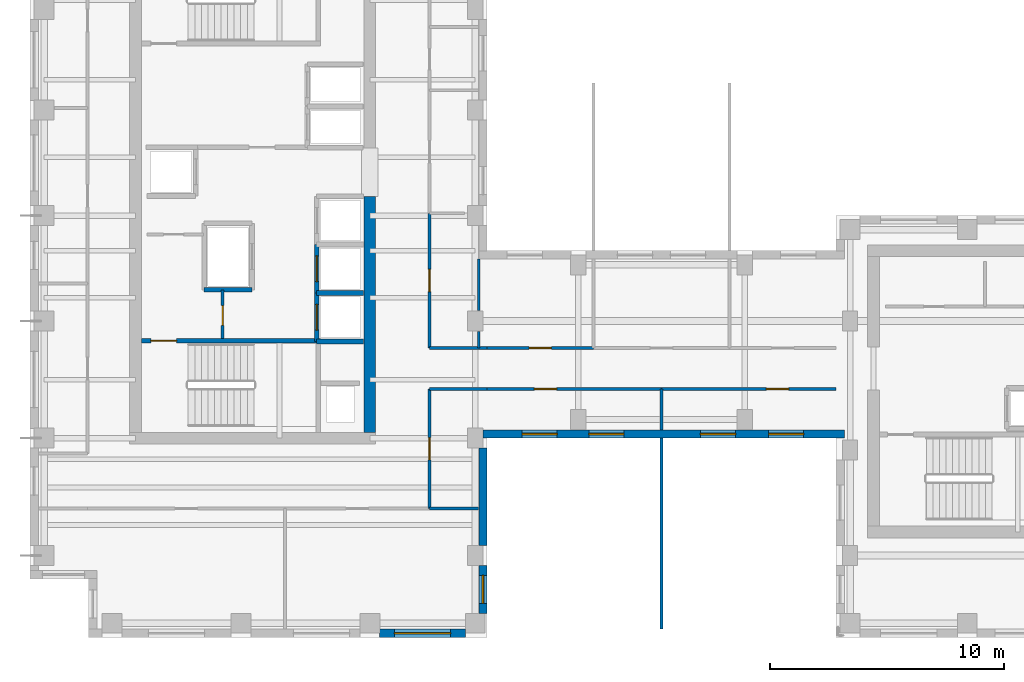
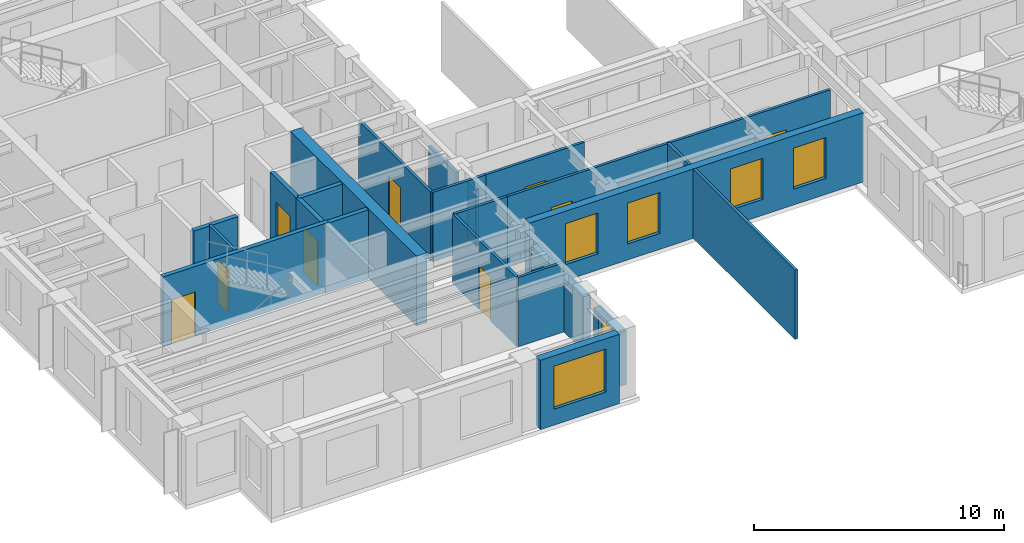
# One storey, part 3 of 10: 24 walls, 9 doors, 6 windows, 15 openings.
"""IFC4 building model written with IfcOpenShell, lengths in metres."""

import ifcopenshell
import ifcopenshell.guid

model = None  # the IFC model being written
_history = None  # IfcOwnerHistory: only IFC2X3 demands one
_inside = {}  # id of a spatial element -> (the spatial element, [elements in it])
_under = {}  # id of a project, library or spatial element -> (it, [spatial elements below it])
_declared = {}  # id of a project -> (the project, [libraries it declares])
_typed = {}  # id of a type object -> (the type object, [elements of that type])
_made_of = {}  # id of a material, layer set ... -> (it, [elements and type objects made of it])


def new_model(schema):
    """Start an empty IFC model of exactly this schema.

    Asked for "IFC4X3", IfcOpenShell would pick the latest addendum, in which some entities
    have other attributes; the version numbers below select the first issue.
    IFC2X3 requires an IfcOwnerHistory on every rooted entity: one is made here for all.
    """
    global model, _history
    if schema == "IFC4X3":
        model = ifcopenshell.file(schema_version=(4, 3, 0, 0))
    else:
        model = ifcopenshell.file(schema=schema)
    _inside.clear()
    _under.clear()
    _declared.clear()
    _typed.clear()
    _made_of.clear()
    _history = None
    if model.schema == "IFC2X3":
        org = make("IfcOrganization", Name="unknown")
        user = make(
            "IfcPersonAndOrganization",
            ThePerson=make("IfcPerson", FamilyName="unknown"),
            TheOrganization=org,
        )
        app = make(
            "IfcApplication",
            ApplicationDeveloper=org,
            Version="unknown",
            ApplicationFullName="unknown",
            ApplicationIdentifier="unknown",
        )
        _history = make(
            "IfcOwnerHistory",
            OwningUser=user,
            OwningApplication=app,
            ChangeAction="ADDED",
            CreationDate=0,
        )
    return model


def make(cls, **values):
    """One entity of the class cls with the attributes given. An attribute that is None is left unset."""
    return model.create_entity(
        cls, **{name: value for name, value in values.items() if value is not None}
    )


def rooted(cls, **values):
    """An entity with a GlobalId (a new one), such as an element, a storey or a relation."""
    return make(cls, GlobalId=ifcopenshell.guid.new(), OwnerHistory=_history, **values)


def si_unit(unit_type, name, prefix=None):
    """IfcSIUnit, for example si_unit("LENGTHUNIT", "METRE", prefix="MILLI")."""
    return make("IfcSIUnit", UnitType=unit_type, Prefix=prefix, Name=name)


def assignment(units):
    """IfcUnitAssignment: the units of a project."""
    return None if units is None else make("IfcUnitAssignment", Units=units)


def point(xyz):
    """IfcCartesianPoint."""
    return None if xyz is None else make("IfcCartesianPoint", Coordinates=xyz)


def direction(xyz):
    """IfcDirection."""
    return None if xyz is None else make("IfcDirection", DirectionRatios=xyz)


def frame(location, z_axis=None, x_axis=None):
    """IfcAxis2Placement3D, a coordinate frame: its origin and axes. An axis left out is left unset."""
    return make(
        "IfcAxis2Placement3D",
        Location=point(location),
        Axis=direction(z_axis),
        RefDirection=direction(x_axis),
    )


def frame_2d(location, x_axis=None):
    """IfcAxis2Placement2D, a coordinate frame in the plane: its origin and x axis."""
    return make(
        "IfcAxis2Placement2D", Location=point(location), RefDirection=direction(x_axis)
    )


def origin():
    """The frame at (0, 0, 0) with its axes left unset."""
    return frame((0.0, 0.0, 0.0))


def place(relative_to, where):
    """IfcLocalPlacement: puts the frame where relative to a parent placement (None: the world)."""
    return make(
        "IfcLocalPlacement", PlacementRelTo=relative_to, RelativePlacement=where
    )


def context(
    kind, dimensions, precision=None, world=None, true_north=None, identifier=None
):
    """IfcGeometricRepresentationContext, for example the 3D "Model" context."""
    return make(
        "IfcGeometricRepresentationContext",
        ContextIdentifier=identifier,
        ContextType=kind,
        CoordinateSpaceDimension=dimensions,
        Precision=precision,
        WorldCoordinateSystem=world,
        TrueNorth=true_north,
    )


def subcontext(parent, identifier, kind, view, scale=None):
    """IfcGeometricRepresentationSubContext, for example "Body" below "Model"."""
    return make(
        "IfcGeometricRepresentationSubContext",
        ContextIdentifier=identifier,
        ContextType=kind,
        ParentContext=parent,
        TargetScale=scale,
        TargetView=view,
    )


def project(units=None, contexts=None):
    """IfcProject with its units and contexts."""
    return rooted(
        "IfcProject",
        Name="project",
        RepresentationContexts=contexts,
        UnitsInContext=assignment(units),
    )


def spatial(cls, under=None, at=None, **own):
    """A site, building, storey or space (cls), placed at a placement, below another one or the project."""
    s = rooted(cls, ObjectPlacement=at, **own)
    if under is not None:
        _under.setdefault(under.id(), (under, []))[1].append(s)
    return s


def profile(cls, at=None, kind="AREA", **sizes):
    """A parametric profile (cls). Its sizes go by their IFC names, for example OverallWidth=200.0."""
    return make(cls, ProfileType=kind, Position=at, **sizes)


def rectangle(**sizes):
    """IfcRectangleProfileDef."""
    return profile("IfcRectangleProfileDef", **sizes)


def extrude(swept, where, along, depth):
    """IfcExtrudedAreaSolid: the profile swept, set in the frame where, extruded along a direction by depth."""
    return make(
        "IfcExtrudedAreaSolid",
        SweptArea=swept,
        Position=where,
        ExtrudedDirection=direction(along),
        Depth=depth,
    )


def shape(context_of_items, identifier, shape_type, items):
    """IfcShapeRepresentation: the items that make up one representation, for example the "Body"."""
    return make(
        "IfcShapeRepresentation",
        ContextOfItems=context_of_items,
        RepresentationIdentifier=identifier,
        RepresentationType=shape_type,
        Items=items,
    )


def source(mapping_origin, context_of_items, identifier, shape_type, items):
    """IfcRepresentationMap: a shape defined once, which mapped items show again and again."""
    return make(
        "IfcRepresentationMap",
        MappingOrigin=mapping_origin,
        MappedRepresentation=shape(context_of_items, identifier, shape_type, items),
    )


def transform(
    local_origin,
    x_axis=None,
    y_axis=None,
    z_axis=None,
    scale=None,
    scale2=None,
    scale3=None,
    uniform=True,
):
    """IfcCartesianTransformationOperator3D, or its non-uniform kind. x_axis, y_axis, z_axis: its Axis1, 2, 3."""
    if uniform:
        return make(
            "IfcCartesianTransformationOperator3D",
            Axis1=direction(x_axis),
            Axis2=direction(y_axis),
            LocalOrigin=point(local_origin),
            Scale=scale,
            Axis3=direction(z_axis),
        )
    return make(
        "IfcCartesianTransformationOperator3DnonUniform",
        Axis1=direction(x_axis),
        Axis2=direction(y_axis),
        LocalOrigin=point(local_origin),
        Scale=scale,
        Axis3=direction(z_axis),
        Scale2=scale2,
        Scale3=scale3,
    )


def mapped(mapping_source, mapping_target):
    """IfcMappedItem: shows the shape of a source again, moved by a transform."""
    return make(
        "IfcMappedItem", MappingSource=mapping_source, MappingTarget=mapping_target
    )


def material(Name=None, Category=None):
    """IfcMaterial."""
    return make("IfcMaterial", Name=Name, Category=Category)


def layer(
    of_material, thickness, ventilated=None, Name=None, Category=None, Priority=None
):
    """IfcMaterialLayer: one layer of a wall or slab, of a material (None: an air gap)."""
    return make(
        "IfcMaterialLayer",
        Material=of_material,
        LayerThickness=thickness,
        IsVentilated=ventilated,
        Name=Name,
        Category=Category,
        Priority=Priority,
    )


def layer_set(layers, Name=None):
    """IfcMaterialLayerSet."""
    return make("IfcMaterialLayerSet", MaterialLayers=layers, LayerSetName=Name)


def made_of(thing, what):
    """Note that an element or type object is made of a material, layer set ...; save() writes the relation."""
    if what is not None:
        _made_of.setdefault(what.id(), (what, []))[1].append(thing)
    return thing


def type_object(cls, material=None, **own):
    """A type object (cls), such as IfcWallType, which elements share."""
    return made_of(rooted(cls, **own), material)


def element(
    cls,
    number,
    at=None,
    inside=None,
    cuts=None,
    type_object=None,
    material=None,
    context=None,
    identifier="Body",
    shape_type=None,
    held_by="IfcProductDefinitionShape",
    body=None,
    shapes=None,
    **own,
):
    """One element of the class cls, such as IfcWall. Its Tag is "e" and its number.

    at: its placement. inside: the storey or other place that contains it. cuts: it is an
    opening in that element (IfcRelVoidsElement). A single representation is given by context,
    identifier, shape_type and body (its items); several are given by shapes. held_by: the class
    of the entity that holds the representations. save() writes the other relations.
    """
    e = rooted(cls, Tag="e%d" % number, ObjectPlacement=at, **own)
    if body is not None:
        shapes = [shape(context, identifier, shape_type, body)]
    if shapes is not None:
        e.Representation = make(held_by, Representations=shapes)
    if inside is not None:
        _inside.setdefault(inside.id(), (inside, []))[1].append(e)
    if cuts is not None:
        rooted(
            "IfcRelVoidsElement", RelatingBuildingElement=cuts, RelatedOpeningElement=e
        )
    if type_object is not None:
        _typed.setdefault(type_object.id(), (type_object, []))[1].append(e)
    return made_of(e, material)


def fill(opening, filler):
    """IfcRelFillsElement: the door or window that sits in an opening."""
    return rooted(
        "IfcRelFillsElement",
        RelatingOpeningElement=opening,
        RelatedBuildingElement=filler,
    )


def aggregate(whole, parts):
    """IfcRelAggregates: a whole, such as a stair, and the parts it consists of."""
    return rooted("IfcRelAggregates", RelatingObject=whole, RelatedObjects=parts)


def save(model, path):
    """Write the relations noted so far, then the file.

    IfcRelAggregates (storeys below a building ...), IfcRelContainedInSpatialStructure (elements
    in a storey), IfcRelDefinesByType, IfcRelAssociatesMaterial and IfcRelDeclares: one each for
    every whole, place, type object, material and project.
    """
    for whole, parts in _under.values():
        aggregate(whole, parts)
    for where, things in _inside.values():
        rooted(
            "IfcRelContainedInSpatialStructure",
            RelatedElements=things,
            RelatingStructure=where,
        )
    for kind, things in _typed.values():
        rooted("IfcRelDefinesByType", RelatedObjects=things, RelatingType=kind)
    for what, things in _made_of.values():
        rooted("IfcRelAssociatesMaterial", RelatedObjects=things, RelatingMaterial=what)
    for by, libraries in _declared.values():
        rooted("IfcRelDeclares", RelatingContext=by, RelatedDefinitions=libraries)
    model.write(path)


model = new_model("IFC4")

# Units and contexts
model_context = context("Model", 3, precision=1e-05, world=origin(), true_north=direction((0.0, 1.0)))
body_context = subcontext(model_context, "Body", "Model", "MODEL_VIEW")
ifc_project = project(units=[si_unit("LENGTHUNIT", "METRE"), si_unit("AREAUNIT", "SQUARE_METRE"), si_unit("VOLUMEUNIT", "CUBIC_METRE"), si_unit("PLANEANGLEUNIT", "RADIAN"), si_unit("MASSUNIT", "GRAM", prefix="KILO")], contexts=[model_context])

# Site, building, storey
site_placement = place(None, origin())
site = spatial("IfcSite", under=ifc_project, at=site_placement, CompositionType="ELEMENT")
building_placement = place(site_placement, origin())
building = spatial("IfcBuilding", under=site, at=building_placement, Name="Kharzan Plaza Tower", CompositionType="ELEMENT")
storey_placement = place(building_placement, frame((0.0, 0.0, 237.60009765625)))
storey = spatial("IfcBuildingStorey", under=building, at=storey_placement, Name="L64", CompositionType="ELEMENT", Elevation=237.60009765625)

# Wall, opening, window
ifc_material_1 = material(Name="Concrete C40/50", Category="concrete")
ifc_layer_1 = layer(ifc_material_1, 0.35009765625)
ifc_layer_set_1 = layer_set([ifc_layer_1], Name="Concrete C40/50")
wall_type_1 = type_object("IfcWallType", Name="WL-EXT-MAS-Z4", PredefinedType="SOLIDWALL", material=ifc_layer_set_1)
wall_1_placement = place(storey_placement, frame((14.923095703125, 0.175048828125, 0.0), z_axis=(0.0, 0.0, 1.0), x_axis=(1.0, 0.0, 0.0)))
wall_1 = element("IfcWall", 1, at=wall_1_placement, inside=storey, type_object=wall_type_1, Name="L64 Masonry-Frame Exterior Wall 29", PredefinedType="SOLIDWALL", context=body_context, shape_type="SweptSolid", body=[
    extrude(rectangle(XDim=3.65380859375, YDim=0.35009765625, at=frame_2d((1.826904296875, 0.0))), origin(), (0.0, 0.0, 1.0), 3.385009765625),
])
opening_1_placement = place(wall_1_placement, frame((0.626953125, 0.0, 0.780029296875)))
opening_1 = element("IfcOpeningElement", 2, at=opening_1_placement, cuts=wall_1, Name="Opening W2", PredefinedType="OPENING", context=body_context, shape_type="SweptSolid", body=[
    extrude(rectangle(XDim=2.39990234375, YDim=2.10009765625, at=frame_2d((1.199951171875, 1.050048828125))), frame((0.0, 0.18505859375, 0.0), z_axis=(0.0, -1.0, 0.0), x_axis=(1.0, 0.0, 0.0)), (0.0, 0.0, 1.0), 0.3701171875),
])
ifc_material_2 = material(Name="Low-E Double Glazing", Category="glass")
window_type_1 = type_object("IfcWindowType", Name="WN-REC-2400x2100", PartitioningType="SINGLE_PANEL", PredefinedType="WINDOW", material=ifc_material_2)
shared_shape_1 = source(origin(), body_context, "Body", "SweptSolid", [
    extrude(rectangle(XDim=2.39990234375, YDim=2.10009765625, at=frame_2d((1.199951171875, 1.050048828125))), frame((0.0, 0.030029296875, 0.0), z_axis=(0.0, -1.0, 0.0), x_axis=(1.0, 0.0, 0.0)), (0.0, 0.0, 1.0), 0.06005859375),
])
window_1_placement = place(opening_1_placement, origin())
window_1 = element("IfcWindow", 3, at=window_1_placement, inside=storey, type_object=window_type_1, Name="L64 Wide Recessed Solar-Control Window 29-1", OverallHeight=2.10009765625, OverallWidth=2.39990234375, PartitioningType="SINGLE_PANEL", PredefinedType="WINDOW", context=body_context, shape_type="MappedRepresentation", body=[
    mapped(shared_shape_1, transform((0.0, 0.0, 0.0), x_axis=(1.0, 0.0, 0.0), y_axis=(0.0, 1.0, 0.0), z_axis=(0.0, 0.0, 1.0))),
])
fill(opening_1, window_1)

wall_2_placement = place(storey_placement, frame((19.324951171875, 1.02294921875, 0.0), z_axis=(0.0, 0.0, 1.0), x_axis=(0.0, 1.0, 0.0)))
wall_2 = element("IfcWall", 4, at=wall_2_placement, inside=storey, type_object=wall_type_1, Name="L64 Masonry-Frame Exterior Wall 30", PredefinedType="SOLIDWALL", context=body_context, shape_type="SweptSolid", body=[
    extrude(rectangle(XDim=2.053955078125, YDim=0.35009765625, at=frame_2d((1.02685546875, 0.0))), origin(), (0.0, 0.0, 1.0), 2.618896484375),
])
opening_2_placement = place(wall_2_placement, frame((0.427001953125, 0.0, 0.780029296875)))
opening_2 = element("IfcOpeningElement", 5, at=opening_2_placement, cuts=wall_2, Name="Opening W3", PredefinedType="OPENING", context=body_context, shape_type="SweptSolid", body=[
    extrude(rectangle(XDim=1.199951171875, YDim=1.658935546875, at=frame_2d((0.60009765625, 0.82958984375))), frame((0.0, 0.18505859375, 0.0), z_axis=(0.0, -1.0, 0.0), x_axis=(1.0, 0.0, 0.0)), (0.0, 0.0, 1.0), 0.3701171875),
])
window_type_2 = type_object("IfcWindowType", Name="WN-REC-1200x2100", PartitioningType="SINGLE_PANEL", PredefinedType="WINDOW", material=ifc_material_2)
shared_shape_2 = source(origin(), body_context, "Body", "SweptSolid", [
    extrude(rectangle(XDim=1.199951171875, YDim=1.658935546875, at=frame_2d((0.60009765625, 0.82958984375))), frame((0.0, 0.030029296875, 0.0), z_axis=(0.0, -1.0, 0.0), x_axis=(1.0, 0.0, 0.0)), (0.0, 0.0, 1.0), 0.06005859375),
])
window_2_placement = place(opening_2_placement, origin())
window_2 = element("IfcWindow", 6, at=window_2_placement, inside=storey, type_object=window_type_2, Name="L64 Recessed Solar-Control Window 30-1", OverallHeight=1.658935546875, OverallWidth=1.199951171875, PartitioningType="SINGLE_PANEL", PredefinedType="WINDOW", context=body_context, shape_type="MappedRepresentation", body=[
    mapped(shared_shape_2, transform((0.0, 0.0, 0.0), x_axis=(1.0, 0.0, 0.0), y_axis=(0.0, 1.0, 0.0), z_axis=(0.0, 0.0, 1.0))),
])
fill(opening_2, window_2)

# Wall, openings, windows
wall_3_placement = place(storey_placement, frame((19.322998046875, 8.675048828125, 0.0), z_axis=(0.0, 0.0, 1.0), x_axis=(1.0, 0.0, 0.0)))
wall_3 = element("IfcWall", 7, at=wall_3_placement, inside=storey, type_object=wall_type_1, Name="L64 Masonry-Frame Exterior Wall 32", PredefinedType="SOLIDWALL", context=body_context, shape_type="SweptSolid", body=[
    extrude(rectangle(XDim=15.427001953125, YDim=0.35009765625, at=frame_2d((7.71337890625, 0.0))), origin(), (0.0, 0.0, 1.0), 3.385009765625),
])
opening_3_placement = place(wall_3_placement, frame((1.67236328125, 0.0, 0.780029296875)))
opening_3 = element("IfcOpeningElement", 8, at=opening_3_placement, cuts=wall_3, Name="Opening W5", PredefinedType="OPENING", context=body_context, shape_type="SweptSolid", body=[
    extrude(rectangle(XDim=1.5, YDim=2.0, at=frame_2d((0.75, 1.0))), frame((0.0, 0.18505859375, 0.0), z_axis=(0.0, -1.0, 0.0), x_axis=(1.0, 0.0, 0.0)), (0.0, 0.0, 1.0), 0.3701171875),
])
opening_4_placement = place(wall_3_placement, frame((4.524658203125, 0.0, 0.780029296875)))
opening_4 = element("IfcOpeningElement", 9, at=opening_4_placement, cuts=wall_3, Name="Opening W5", PredefinedType="OPENING", context=body_context, shape_type="SweptSolid", body=[
    extrude(rectangle(XDim=1.5, YDim=2.0, at=frame_2d((0.75, 1.0))), frame((0.0, 0.18505859375, 0.0), z_axis=(0.0, -1.0, 0.0), x_axis=(1.0, 0.0, 0.0)), (0.0, 0.0, 1.0), 0.3701171875),
])
opening_5_placement = place(wall_3_placement, frame((9.287109375, 0.0, 0.780029296875)))
opening_5 = element("IfcOpeningElement", 10, at=opening_5_placement, cuts=wall_3, Name="Opening W5", PredefinedType="OPENING", context=body_context, shape_type="SweptSolid", body=[
    extrude(rectangle(XDim=1.5, YDim=2.0, at=frame_2d((0.75, 1.0))), frame((0.0, 0.18505859375, 0.0), z_axis=(0.0, -1.0, 0.0), x_axis=(1.0, 0.0, 0.0)), (0.0, 0.0, 1.0), 0.3701171875),
])
opening_6_placement = place(wall_3_placement, frame((12.197021484375, 0.0, 0.780029296875)))
opening_6 = element("IfcOpeningElement", 11, at=opening_6_placement, cuts=wall_3, Name="Opening W5", PredefinedType="OPENING", context=body_context, shape_type="SweptSolid", body=[
    extrude(rectangle(XDim=1.5, YDim=2.0, at=frame_2d((0.75, 1.0))), frame((0.0, 0.18505859375, 0.0), z_axis=(0.0, -1.0, 0.0), x_axis=(1.0, 0.0, 0.0)), (0.0, 0.0, 1.0), 0.3701171875),
])
window_type_3 = type_object("IfcWindowType", Name="WN-SLT-1500x2000", PartitioningType="SINGLE_PANEL", PredefinedType="WINDOW", material=ifc_material_2)
shared_shape_3 = source(origin(), body_context, "Body", "SweptSolid", [
    extrude(rectangle(XDim=1.5, YDim=2.0, at=frame_2d((0.75, 1.0))), frame((0.0, 0.030029296875, 0.0), z_axis=(0.0, -1.0, 0.0), x_axis=(1.0, 0.0, 0.0)), (0.0, 0.0, 1.0), 0.06005859375),
])
window_3_placement = place(opening_3_placement, origin())
window_3 = element("IfcWindow", 12, at=window_3_placement, inside=storey, type_object=window_type_3, Name="L64 Recessed Solar-Control Window 32-1", OverallHeight=2.0, OverallWidth=1.5, PartitioningType="SINGLE_PANEL", PredefinedType="WINDOW", context=body_context, shape_type="MappedRepresentation", body=[
    mapped(shared_shape_3, transform((0.0, 0.0, 0.0), x_axis=(1.0, 0.0, 0.0), y_axis=(0.0, 1.0, 0.0), z_axis=(0.0, 0.0, 1.0))),
])
fill(opening_3, window_3)
window_4_placement = place(opening_4_placement, origin())
window_4 = element("IfcWindow", 13, at=window_4_placement, inside=storey, type_object=window_type_3, Name="L64 Recessed Solar-Control Window 32-2", OverallHeight=2.0, OverallWidth=1.5, PartitioningType="SINGLE_PANEL", PredefinedType="WINDOW", context=body_context, shape_type="MappedRepresentation", body=[
    mapped(shared_shape_3, transform((0.0, 0.0, 0.0), x_axis=(1.0, 0.0, 0.0), y_axis=(0.0, 1.0, 0.0), z_axis=(0.0, 0.0, 1.0))),
])
fill(opening_4, window_4)
window_5_placement = place(opening_5_placement, origin())
window_5 = element("IfcWindow", 14, at=window_5_placement, inside=storey, type_object=window_type_3, Name="L64 Recessed Solar-Control Window 32-3", OverallHeight=2.0, OverallWidth=1.5, PartitioningType="SINGLE_PANEL", PredefinedType="WINDOW", context=body_context, shape_type="MappedRepresentation", body=[
    mapped(shared_shape_3, transform((0.0, 0.0, 0.0), x_axis=(1.0, 0.0, 0.0), y_axis=(0.0, 1.0, 0.0), z_axis=(0.0, 0.0, 1.0))),
])
fill(opening_5, window_5)
window_6_placement = place(opening_6_placement, origin())
window_6 = element("IfcWindow", 15, at=window_6_placement, inside=storey, type_object=window_type_3, Name="L64 Recessed Solar-Control Window 32-4", OverallHeight=2.0, OverallWidth=1.5, PartitioningType="SINGLE_PANEL", PredefinedType="WINDOW", context=body_context, shape_type="MappedRepresentation", body=[
    mapped(shared_shape_3, transform((0.0, 0.0, 0.0), x_axis=(1.0, 0.0, 0.0), y_axis=(0.0, 1.0, 0.0), z_axis=(0.0, 0.0, 1.0))),
])
fill(opening_6, window_6)

# Wall, opening, door
ifc_material_3 = material(Name="Fire-Rated Gypsum Board Partition", Category="gypsum")
ifc_layer_2 = layer(ifc_material_3, 0.125)
ifc_layer_set_2 = layer_set([ifc_layer_2], Name="Fire-Rated Gypsum Board Partition")
wall_type_2 = type_object("IfcWallType", Name="WL-INT-PART-125", PredefinedType="PARTITIONING", material=ifc_layer_set_2)
wall_4_placement = place(storey_placement, frame((8.219970703125, 12.75, 0.0), z_axis=(0.0, 0.0, 1.0), x_axis=(0.0, 1.0, 0.0)))
wall_4 = element("IfcWall", 16, at=wall_4_placement, inside=storey, type_object=wall_type_2, Name="L64 Interior Partition CA-K1E", PredefinedType="PARTITIONING", context=body_context, shape_type="SweptSolid", body=[
    extrude(rectangle(XDim=2.070068359375, YDim=0.125, at=frame_2d((1.03515625, 0.0))), origin(), (0.0, 0.0, 1.0), 3.385009765625),
])
opening_7_placement = place(wall_4_placement, frame((0.56005859375, 0.0, 0.0)))
opening_7 = element("IfcOpeningElement", 17, at=opening_7_placement, cuts=wall_4, Name="Opening RD1", PredefinedType="OPENING", context=body_context, shape_type="SweptSolid", body=[
    extrude(rectangle(XDim=0.85009765625, YDim=2.10009765625, at=frame_2d((0.425048828125, 1.050048828125))), frame((0.0, 0.072509765625, 0.0), z_axis=(0.0, -1.0, 0.0), x_axis=(1.0, 0.0, 0.0)), (0.0, 0.0, 1.0), 0.14501953125),
])
ifc_material_4 = material(Name="Powder-Coated Fire-Rated Steel", Category="steel")
door_type_1 = type_object("IfcDoorType", Name="DR-RISER-900", OperationType="NOTDEFINED", PredefinedType="DOOR", material=ifc_material_4)
shared_shape_4 = source(origin(), body_context, "Body", "SweptSolid", [
    extrude(rectangle(XDim=0.85009765625, YDim=2.10009765625, at=frame_2d((0.425048828125, 1.050048828125))), frame((0.0, 0.02490234375, 0.0), z_axis=(0.0, -1.0, 0.0), x_axis=(1.0, 0.0, 0.0)), (0.0, 0.0, 1.0), 0.050048828125),
])
door_1_placement = place(opening_7_placement, origin())
door_1 = element("IfcDoor", 18, at=door_1_placement, inside=storey, type_object=door_type_1, Name="L64 Core Service Store Door", OperationType="SINGLE_SWING_RIGHT", OverallHeight=2.10009765625, OverallWidth=0.85009765625, PredefinedType="DOOR", context=body_context, shape_type="MappedRepresentation", body=[
    mapped(shared_shape_4, transform((0.0, 0.0, 0.0), x_axis=(1.0, 0.0, 0.0), y_axis=(0.0, 1.0, 0.0), z_axis=(0.0, 0.0, 1.0))),
])
fill(opening_7, door_1)

wall_5_placement = place(storey_placement, frame((17.050048828125, 12.35009765625, 0.0), z_axis=(0.0, 0.0, 1.0), x_axis=(0.0, 1.0, 0.0)))
wall_5 = element("IfcWall", 19, at=wall_5_placement, inside=storey, type_object=wall_type_2, Name="L64 Interior Partition SH-AEWN1", PredefinedType="PARTITIONING", context=body_context, shape_type="SweptSolid", body=[
    extrude(rectangle(XDim=5.75, YDim=0.125, at=frame_2d((2.875, 0.0))), origin(), (0.0, 0.0, 1.0), 3.385009765625),
])
opening_8_placement = place(wall_5_placement, frame((2.39990234375, 0.0, 0.0)))
opening_8 = element("IfcOpeningElement", 20, at=opening_8_placement, cuts=wall_5, Name="Opening OD1", PredefinedType="OPENING", context=body_context, shape_type="SweptSolid", body=[
    extrude(rectangle(XDim=0.949951171875, YDim=2.14990234375, at=frame_2d((0.47509765625, 1.074951171875))), frame((0.0, 0.072509765625, 0.0), z_axis=(0.0, -1.0, 0.0), x_axis=(1.0, 0.0, 0.0)), (0.0, 0.0, 1.0), 0.14501953125),
])
ifc_material_5 = material(Name="Acoustic Solid-Core Stained Oak", Category="timber")
door_type_2 = type_object("IfcDoorType", Name="DR-OFF-SINGLE", OperationType="NOTDEFINED", PredefinedType="DOOR", material=ifc_material_5)
shared_shape_5 = source(origin(), body_context, "Body", "SweptSolid", [
    extrude(rectangle(XDim=0.949951171875, YDim=2.14990234375, at=frame_2d((0.47509765625, 1.074951171875))), frame((0.0, 0.02490234375, 0.0), z_axis=(0.0, -1.0, 0.0), x_axis=(1.0, 0.0, 0.0)), (0.0, 0.0, 1.0), 0.050048828125),
])
door_2_placement = place(opening_8_placement, origin())
door_2 = element("IfcDoor", 21, at=door_2_placement, inside=storey, type_object=door_type_2, Name="L64 Slot Collaboration Door", OperationType="SINGLE_SWING_LEFT", OverallHeight=2.14990234375, OverallWidth=0.949951171875, PredefinedType="DOOR", context=body_context, shape_type="MappedRepresentation", body=[
    mapped(shared_shape_5, transform((0.0, 0.0, 0.0), x_axis=(1.0, 0.0, 0.0), y_axis=(0.0, 1.0, 0.0), z_axis=(0.0, 0.0, 1.0))),
])
fill(opening_8, door_2)

wall_6_placement = place(storey_placement, frame((17.050048828125, 5.5, 0.0), z_axis=(0.0, 0.0, 1.0), x_axis=(0.0, 1.0, 0.0)))
wall_6 = element("IfcWall", 22, at=wall_6_placement, inside=storey, type_object=wall_type_2, Name="L64 Interior Partition SH-AEWS", PredefinedType="PARTITIONING", context=body_context, shape_type="SweptSolid", body=[
    extrude(rectangle(XDim=5.10009765625, YDim=0.125, at=frame_2d((2.550048828125, 0.0))), origin(), (0.0, 0.0, 1.0), 3.385009765625),
])
opening_9_placement = place(wall_6_placement, frame((2.074951171875, 0.0, 0.0)))
opening_9 = element("IfcOpeningElement", 23, at=opening_9_placement, cuts=wall_6, Name="Opening OD1", PredefinedType="OPENING", context=body_context, shape_type="SweptSolid", body=[
    extrude(rectangle(XDim=0.949951171875, YDim=2.14990234375, at=frame_2d((0.47509765625, 1.074951171875))), frame((0.0, 0.072509765625, 0.0), z_axis=(0.0, -1.0, 0.0), x_axis=(1.0, 0.0, 0.0)), (0.0, 0.0, 1.0), 0.14501953125),
])
door_3_placement = place(opening_9_placement, origin())
door_3 = element("IfcDoor", 24, at=door_3_placement, inside=storey, type_object=door_type_2, Name="L64 Slot South Office Door", OperationType="SINGLE_SWING_RIGHT", OverallHeight=2.14990234375, OverallWidth=0.949951171875, PredefinedType="DOOR", context=body_context, shape_type="MappedRepresentation", body=[
    mapped(shared_shape_5, transform((0.0, 0.0, 0.0), x_axis=(1.0, 0.0, 0.0), y_axis=(0.0, 1.0, 0.0), z_axis=(0.0, 0.0, 1.0))),
])
fill(opening_9, door_3)

wall_7_placement = place(storey_placement, frame((19.5, 12.35009765625, 0.0), z_axis=(0.0, 0.0, 1.0), x_axis=(1.0, 0.0, 0.0)))
wall_7 = element("IfcWall", 25, at=wall_7_placement, inside=storey, type_object=wall_type_2, Name="L64 Interior Partition SH-SPNW1", PredefinedType="PARTITIONING", context=body_context, shape_type="SweptSolid", body=[
    extrude(rectangle(XDim=4.550048828125, YDim=0.125, at=frame_2d((2.27490234375, 0.0))), origin(), (0.0, 0.0, 1.0), 3.385009765625),
])
opening_10_placement = place(wall_7_placement, frame((1.800048828125, 0.0, 0.0)))
opening_10 = element("IfcOpeningElement", 26, at=opening_10_placement, cuts=wall_7, Name="Opening OD1", PredefinedType="OPENING", context=body_context, shape_type="SweptSolid", body=[
    extrude(rectangle(XDim=0.949951171875, YDim=2.14990234375, at=frame_2d((0.47509765625, 1.074951171875))), frame((0.0, 0.072509765625, 0.0), z_axis=(0.0, -1.0, 0.0), x_axis=(1.0, 0.0, 0.0)), (0.0, 0.0, 1.0), 0.14501953125),
])
door_4_placement = place(opening_10_placement, origin())
door_4 = element("IfcDoor", 27, at=door_4_placement, inside=storey, type_object=door_type_2, Name="L64 North-West Spine Door", OperationType="SINGLE_SWING_LEFT", OverallHeight=2.14990234375, OverallWidth=0.949951171875, PredefinedType="DOOR", context=body_context, shape_type="MappedRepresentation", body=[
    mapped(shared_shape_5, transform((0.0, 0.0, 0.0), x_axis=(1.0, 0.0, 0.0), y_axis=(0.0, 1.0, 0.0), z_axis=(0.0, 0.0, 1.0))),
])
fill(opening_10, door_4)

wall_8_placement = place(storey_placement, frame((19.5, 10.60009765625, 0.0), z_axis=(0.0, 0.0, 1.0), x_axis=(1.0, 0.0, 0.0)))
wall_8 = element("IfcWall", 28, at=wall_8_placement, inside=storey, type_object=wall_type_2, Name="L64 Interior Partition SH-SPS1", PredefinedType="PARTITIONING", context=body_context, shape_type="SweptSolid", body=[
    extrude(rectangle(XDim=7.449951171875, YDim=0.125, at=frame_2d((3.72509765625, 0.0))), origin(), (0.0, 0.0, 1.0), 3.385009765625),
])
opening_11_placement = place(wall_8_placement, frame((2.02197265625, 0.0, 0.0)))
opening_11 = element("IfcOpeningElement", 29, at=opening_11_placement, cuts=wall_8, Name="Opening OD1", PredefinedType="OPENING", context=body_context, shape_type="SweptSolid", body=[
    extrude(rectangle(XDim=0.949951171875, YDim=2.14990234375, at=frame_2d((0.47509765625, 1.074951171875))), frame((0.0, 0.072509765625, 0.0), z_axis=(0.0, -1.0, 0.0), x_axis=(1.0, 0.0, 0.0)), (0.0, 0.0, 1.0), 0.14501953125),
])
door_5_placement = place(opening_11_placement, origin())
door_5 = element("IfcDoor", 30, at=door_5_placement, inside=storey, type_object=door_type_2, Name="L64 South Spine West Door", OperationType="SINGLE_SWING_LEFT", OverallHeight=2.14990234375, OverallWidth=0.949951171875, PredefinedType="DOOR", context=body_context, shape_type="MappedRepresentation", body=[
    mapped(shared_shape_5, transform((0.0, 0.0, 0.0), x_axis=(1.0, 0.0, 0.0), y_axis=(0.0, 1.0, 0.0), z_axis=(0.0, 0.0, 1.0))),
])
fill(opening_11, door_5)

wall_9_placement = place(storey_placement, frame((26.949951171875, 10.60009765625, 0.0), z_axis=(0.0, 0.0, 1.0), x_axis=(1.0, 0.0, 0.0)))
wall_9 = element("IfcWall", 31, at=wall_9_placement, inside=storey, type_object=wall_type_2, Name="L64 Interior Partition SH-SPS2", PredefinedType="PARTITIONING", context=body_context, shape_type="SweptSolid", body=[
    extrude(rectangle(XDim=7.449951171875, YDim=0.125, at=frame_2d((3.72509765625, 0.0))), origin(), (0.0, 0.0, 1.0), 3.385009765625),
])
opening_12_placement = place(wall_9_placement, frame((4.47802734375, 0.0, 0.0)))
opening_12 = element("IfcOpeningElement", 32, at=opening_12_placement, cuts=wall_9, Name="Opening OD1", PredefinedType="OPENING", context=body_context, shape_type="SweptSolid", body=[
    extrude(rectangle(XDim=0.949951171875, YDim=2.14990234375, at=frame_2d((0.47509765625, 1.074951171875))), frame((0.0, 0.072509765625, 0.0), z_axis=(0.0, -1.0, 0.0), x_axis=(1.0, 0.0, 0.0)), (0.0, 0.0, 1.0), 0.14501953125),
])
door_6_placement = place(opening_12_placement, origin())
door_6 = element("IfcDoor", 33, at=door_6_placement, inside=storey, type_object=door_type_2, Name="L64 South Spine East Door", OperationType="SINGLE_SWING_RIGHT", OverallHeight=2.14990234375, OverallWidth=0.949951171875, PredefinedType="DOOR", context=body_context, shape_type="MappedRepresentation", body=[
    mapped(shared_shape_5, transform((0.0, 0.0, 0.0), x_axis=(1.0, 0.0, 0.0), y_axis=(0.0, 1.0, 0.0), z_axis=(0.0, 0.0, 1.0))),
])
fill(opening_12, door_6)

ifc_layer_3 = layer(ifc_material_1, 0.199951171875)
ifc_layer_set_3 = layer_set([ifc_layer_3], Name="Concrete C40/50")
wall_type_3 = type_object("IfcWallType", Name="WL-INT-SHAFT-200", PredefinedType="PARTITIONING", material=ifc_layer_set_3)
wall_10_placement = place(storey_placement, frame((12.22998046875, 12.6298828125, 0.0), z_axis=(0.0, 0.0, 1.0), x_axis=(0.0, 1.0, 0.0)))
wall_10 = element("IfcWall", 34, at=wall_10_placement, inside=storey, type_object=wall_type_3, Name="L64 Interior Partition SHF-PL-H1-W", PredefinedType="PARTITIONING", context=body_context, shape_type="SweptSolid", body=[
    extrude(rectangle(XDim=2.070068359375, YDim=0.199951171875, at=frame_2d((1.03515625, 0.0))), origin(), (0.0, 0.0, 1.0), 3.385009765625),
])
opening_13_placement = place(wall_10_placement, frame((0.485107421875, 0.0, 0.0)))
opening_13 = element("IfcOpeningElement", 35, at=opening_13_placement, cuts=wall_10, Name="Opening LD", PredefinedType="OPENING", context=body_context, shape_type="SweptSolid", body=[
    extrude(rectangle(XDim=1.10009765625, YDim=2.199951171875, at=frame_2d((0.550048828125, 1.10009765625))), frame((0.0, 0.10986328125, 0.0), z_axis=(0.0, -1.0, 0.0), x_axis=(1.0, 0.0, 0.0)), (0.0, 0.0, 1.0), 0.219970703125),
])
ifc_material_6 = material(Name="Brushed Stainless Steel", Category="steel")
door_type_3 = type_object("IfcDoorType", Name="DR-LIFT-SLIDE", OperationType="SLIDING_TO_LEFT", PredefinedType="DOOR", material=ifc_material_6)
shared_shape_6 = source(origin(), body_context, "Body", "SweptSolid", [
    extrude(rectangle(XDim=1.10009765625, YDim=2.199951171875, at=frame_2d((0.550048828125, 1.10009765625))), frame((0.0, 0.02490234375, 0.0), z_axis=(0.0, -1.0, 0.0), x_axis=(1.0, 0.0, 0.0)), (0.0, 0.0, 1.0), 0.050048828125),
])
door_7_placement = place(opening_13_placement, origin())
door_7 = element("IfcDoor", 36, at=door_7_placement, inside=storey, type_object=door_type_3, Name="L64 High-Rise Passenger Lift PL-H1 Sliding Landing Door", OperationType="SLIDING_TO_LEFT", OverallHeight=2.199951171875, OverallWidth=1.10009765625, PredefinedType="DOOR", context=body_context, shape_type="MappedRepresentation", body=[
    mapped(shared_shape_6, transform((0.0, 0.0, 0.0), x_axis=(1.0, 0.0, 0.0), y_axis=(0.0, 1.0, 0.0), z_axis=(0.0, 0.0, 1.0))),
])
fill(opening_13, door_7)

wall_11_placement = place(storey_placement, frame((12.22998046875, 14.699951171875, 0.0), z_axis=(0.0, 0.0, 1.0), x_axis=(0.0, 1.0, 0.0)))
wall_11 = element("IfcWall", 37, at=wall_11_placement, inside=storey, type_object=wall_type_3, Name="L64 Interior Partition SHF-PL-H2-W", PredefinedType="PARTITIONING", context=body_context, shape_type="SweptSolid", body=[
    extrude(rectangle(XDim=2.070068359375, YDim=0.199951171875, at=frame_2d((1.03515625, 0.0))), origin(), (0.0, 0.0, 1.0), 3.385009765625),
])
opening_14_placement = place(wall_11_placement, frame((0.485107421875, 0.0, 0.0)))
opening_14 = element("IfcOpeningElement", 38, at=opening_14_placement, cuts=wall_11, Name="Opening LD", PredefinedType="OPENING", context=body_context, shape_type="SweptSolid", body=[
    extrude(rectangle(XDim=1.10009765625, YDim=2.199951171875, at=frame_2d((0.550048828125, 1.10009765625))), frame((0.0, 0.10986328125, 0.0), z_axis=(0.0, -1.0, 0.0), x_axis=(1.0, 0.0, 0.0)), (0.0, 0.0, 1.0), 0.219970703125),
])
door_8_placement = place(opening_14_placement, origin())
door_8 = element("IfcDoor", 39, at=door_8_placement, inside=storey, type_object=door_type_3, Name="L64 High-Rise Passenger Lift PL-H2 Sliding Landing Door", OperationType="SLIDING_TO_LEFT", OverallHeight=2.199951171875, OverallWidth=1.10009765625, PredefinedType="DOOR", context=body_context, shape_type="MappedRepresentation", body=[
    mapped(shared_shape_6, transform((0.0, 0.0, 0.0), x_axis=(1.0, 0.0, 0.0), y_axis=(0.0, 1.0, 0.0), z_axis=(0.0, 0.0, 1.0))),
])
fill(opening_14, door_8)

ifc_material_7 = material(Name="Concrete C50/60", Category="concrete")
ifc_layer_4 = layer(ifc_material_7, 0.199951171875)
ifc_layer_set_4 = layer_set([ifc_layer_4], Name="Concrete C50/60")
wall_type_4 = type_object("IfcWallType", Name="WL-SHAFT-RC200", PredefinedType="SHEAR", material=ifc_layer_set_4)
wall_12_placement = place(storey_placement, frame((4.751953125, 12.655029296875, 0.0), z_axis=(0.0, 0.0, 1.0), x_axis=(1.0, 0.0, 0.0)))
wall_12 = element("IfcWall", 40, at=wall_12_placement, inside=storey, type_object=wall_type_4, Name="L64 Stair ST-1 North RC Shaft Wall", PredefinedType="SHEAR", context=body_context, shape_type="SweptSolid", body=[
    extrude(rectangle(XDim=7.653076171875, YDim=0.199951171875, at=frame_2d((3.82666015625, 0.0))), origin(), (0.0, 0.0, 1.0), 3.39990234375),
])
opening_15_placement = place(wall_12_placement, frame((0.39990234375, 0.0, 0.0)))
opening_15 = element("IfcOpeningElement", 41, at=opening_15_placement, cuts=wall_12, Name="Opening SD1", PredefinedType="OPENING", context=body_context, shape_type="SweptSolid", body=[
    extrude(rectangle(XDim=1.10009765625, YDim=2.14990234375, at=frame_2d((0.550048828125, 1.074951171875))), frame((0.0, 0.10986328125, 0.0), z_axis=(0.0, -1.0, 0.0), x_axis=(1.0, 0.0, 0.0)), (0.0, 0.0, 1.0), 0.219970703125),
])
ifc_material_8 = material(Name="Fire-Rated Hollow Galvanized Steel", Category="steel")
door_type_4 = type_object("IfcDoorType", Name="DR-STAIR-FD120", OperationType="NOTDEFINED", PredefinedType="DOOR", material=ifc_material_8)
shared_shape_7 = source(origin(), body_context, "Body", "SweptSolid", [
    extrude(rectangle(XDim=1.10009765625, YDim=2.14990234375, at=frame_2d((0.550048828125, 1.074951171875))), frame((0.0, 0.02490234375, 0.0), z_axis=(0.0, -1.0, 0.0), x_axis=(1.0, 0.0, 0.0)), (0.0, 0.0, 1.0), 0.050048828125),
])
door_9_placement = place(opening_15_placement, origin())
door_9 = element("IfcDoor", 42, at=door_9_placement, inside=storey, type_object=door_type_4, Name="L64 Stair ST-1 Fire Exit Door", OperationType="SINGLE_SWING_RIGHT", OverallHeight=2.14990234375, OverallWidth=1.10009765625, PredefinedType="DOOR", context=body_context, shape_type="MappedRepresentation", body=[
    mapped(shared_shape_7, transform((0.0, 0.0, 0.0), x_axis=(1.0, 0.0, 0.0), y_axis=(0.0, 1.0, 0.0), z_axis=(0.0, 0.0, 1.0))),
])
fill(opening_15, door_9)

# Walls
shared_shape_8 = source(origin(), body_context, "Body", "SweptSolid", [
    extrude(rectangle(XDim=2.097900390625, YDim=0.125, at=frame_2d((1.048828125, 0.0))), origin(), (0.0, 0.0, 1.0), 3.385009765625),
])
wall_13_placement = place(storey_placement, frame((17.050048828125, 5.5, 0.0), z_axis=(0.0, 0.0, 1.0), x_axis=(1.0, 0.0, 0.0)))
element("IfcWall", 43, at=wall_13_placement, inside=storey, type_object=wall_type_2, Name="L64 Interior Partition SH-SSE-2", PredefinedType="PARTITIONING", context=body_context, shape_type="MappedRepresentation", body=[
    mapped(shared_shape_8, transform((0.0, 0.0, 0.0), x_axis=(1.0, 0.0, 0.0), y_axis=(0.0, 1.0, 0.0), z_axis=(0.0, 0.0, 1.0))),
])
shared_shape_9 = source(origin(), body_context, "Body", "SweptSolid", [
    extrude(rectangle(XDim=2.449951171875, YDim=0.125, at=frame_2d((1.22509765625, 0.0))), origin(), (0.0, 0.0, 1.0), 3.385009765625),
])
for number, where, z_axis, x_axis, name in (
    (44, (17.050048828125, 12.35009765625, 0.0), (0.0, 0.0, 1.0), (1.0, 0.0, 0.0), "L64 Interior Partition SH-SPNW0"),
    (45, (17.050048828125, 10.60009765625, 0.0), (0.0, 0.0, 1.0), (1.0, 0.0, 0.0), "L64 Interior Partition SH-SPS0"),
):
    element("IfcWall", number, at=place(storey_placement, frame(where, z_axis=z_axis, x_axis=x_axis)), inside=storey, type_object=wall_type_2, Name=name, PredefinedType="PARTITIONING", context=body_context, shape_type="MappedRepresentation", body=[
        mapped(shared_shape_9, transform((0.0, 0.0, 0.0), x_axis=(1.0, 0.0, 0.0), y_axis=(0.0, 1.0, 0.0), z_axis=(0.0, 0.0, 1.0))),
    ])
shared_shape_10 = source(origin(), body_context, "Body", "SweptSolid", [
    extrude(rectangle(XDim=2.0400390625, YDim=0.199951171875, at=frame_2d((1.02001953125, 0.0))), origin(), (0.0, 0.0, 1.0), 3.385009765625),
])
wall_14_placement = place(storey_placement, frame((7.429931640625, 14.830078125, 0.0), z_axis=(0.0, 0.0, 1.0), x_axis=(1.0, 0.0, 0.0)))
element("IfcWall", 46, at=wall_14_placement, inside=storey, type_object=wall_type_3, Name="L64 Interior Partition SHF-SVL-1-S", PredefinedType="PARTITIONING", context=body_context, shape_type="MappedRepresentation", body=[
    mapped(shared_shape_10, transform((0.0, 0.0, 0.0), x_axis=(1.0, 0.0, 0.0), y_axis=(0.0, 1.0, 0.0), z_axis=(0.0, 0.0, 1.0))),
])
shared_shape_11 = source(origin(), body_context, "Body", "SweptSolid", [
    extrude(rectangle(XDim=8.14794921875, YDim=0.125, at=frame_2d((4.073974609375, 0.0))), origin(), (0.0, 0.0, 1.0), 3.385009765625),
])
wall_15_placement = place(storey_placement, frame((26.949951171875, 0.35009765625, 0.0), z_axis=(0.0, 0.0, 1.0), x_axis=(0.0, 1.0, 0.0)))
element("IfcWall", 47, at=wall_15_placement, inside=storey, type_object=wall_type_2, Name="L64 Interior Partition SH-SPSV1-S1", PredefinedType="PARTITIONING", context=body_context, shape_type="MappedRepresentation", body=[
    mapped(shared_shape_11, transform((0.0, 0.0, 0.0), x_axis=(1.0, 0.0, 0.0), y_axis=(0.0, 1.0, 0.0), z_axis=(0.0, 0.0, 1.0))),
])
shared_shape_12 = source(origin(), body_context, "Body", "SweptSolid", [
    extrude(rectangle(XDim=1.748046875, YDim=0.125, at=frame_2d((0.8740234375, 0.0))), origin(), (0.0, 0.0, 1.0), 3.385009765625),
])
wall_16_placement = place(storey_placement, frame((26.949951171875, 8.85205078125, 0.0), z_axis=(0.0, 0.0, 1.0), x_axis=(0.0, 1.0, 0.0)))
element("IfcWall", 48, at=wall_16_placement, inside=storey, type_object=wall_type_2, Name="L64 Interior Partition SH-SPSV1-S2", PredefinedType="PARTITIONING", context=body_context, shape_type="MappedRepresentation", body=[
    mapped(shared_shape_12, transform((0.0, 0.0, 0.0), x_axis=(1.0, 0.0, 0.0), y_axis=(0.0, 1.0, 0.0), z_axis=(0.0, 0.0, 1.0))),
])
shared_shape_13 = source(origin(), body_context, "Body", "SweptSolid", [
    extrude(rectangle(XDim=1.989990234375, YDim=0.199951171875, at=frame_2d((0.9951171875, 0.0))), origin(), (0.0, 0.0, 1.0), 3.385009765625),
])
for number, where, z_axis, x_axis, name in (
    (49, (12.22998046875, 14.699951171875, 0.0), (0.0, 0.0, 1.0), (1.0, 0.0, 0.0), "L64 Interior Partition SHF-PL-H1-N"),
    (50, (12.22998046875, 12.6298828125, 0.0), (0.0, 0.0, 1.0), (1.0, 0.0, 0.0), "L64 Interior Partition SHF-PL-H1-S"),
):
    element("IfcWall", number, at=place(storey_placement, frame(where, z_axis=z_axis, x_axis=x_axis)), inside=storey, type_object=wall_type_3, Name=name, PredefinedType="PARTITIONING", context=body_context, shape_type="MappedRepresentation", body=[
        mapped(shared_shape_13, transform((0.0, 0.0, 0.0), x_axis=(1.0, 0.0, 0.0), y_axis=(0.0, 1.0, 0.0), z_axis=(0.0, 0.0, 1.0))),
    ])
ifc_layer_5 = layer(ifc_material_7, 0.5)
ifc_layer_set_5 = layer_set([ifc_layer_5], Name="Concrete C50/60")
wall_type_5 = type_object("IfcWallType", Name="WL-CORE-500", PredefinedType="SHEAR", material=ifc_layer_set_5)
shared_shape_14 = source(origin(), body_context, "Body", "SweptSolid", [
    extrude(rectangle(XDim=10.070068359375, YDim=0.5, at=frame_2d((5.03515625, 0.0))), origin(), (0.0, 0.0, 1.0), 3.39990234375),
])
wall_17_placement = place(storey_placement, frame((14.5, 8.75, 0.0), z_axis=(0.0, 0.0, 1.0), x_axis=(0.0, 1.0, 0.0)))
element("IfcWall", 51, at=wall_17_placement, inside=storey, type_object=wall_type_5, Name="L64 CORE-A east shear pier 1", PredefinedType="SHEAR", context=body_context, shape_type="MappedRepresentation", body=[
    mapped(shared_shape_14, transform((0.0, 0.0, 0.0), x_axis=(1.0, 0.0, 0.0), y_axis=(0.0, 1.0, 0.0), z_axis=(0.0, 0.0, 1.0))),
])
shared_shape_15 = source(origin(), body_context, "Body", "SweptSolid", [
    extrude(rectangle(XDim=0.699951171875, YDim=0.125, at=frame_2d((0.35009765625, 0.0))), origin(), (0.0, 0.0, 1.0), 2.77294921875),
])
wall_18_placement = place(storey_placement, frame((19.14990234375, 12.35009765625, 0.0), z_axis=(0.0, 0.0, 1.0), x_axis=(0.0, 1.0, 0.0)))
element("IfcWall", 52, at=wall_18_placement, inside=storey, type_object=wall_type_2, Name="L64 Interior Partition SH-AEN-DIV-S1", PredefinedType="PARTITIONING", context=body_context, shape_type="MappedRepresentation", body=[
    mapped(shared_shape_15, transform((0.0, 0.0, 0.0), x_axis=(1.0, 0.0, 0.0), y_axis=(0.0, 1.0, 0.0), z_axis=(0.0, 0.0, 1.0))),
])
shared_shape_16 = source(origin(), body_context, "Body", "SweptSolid", [
    extrude(rectangle(XDim=4.15380859375, YDim=0.35009765625, at=frame_2d((2.076904296875, 0.0))), origin(), (0.0, 0.0, 1.0), 2.618896484375),
])
wall_19_placement = place(storey_placement, frame((19.324951171875, 3.923095703125, 0.0), z_axis=(0.0, 0.0, 1.0), x_axis=(0.0, 1.0, 0.0)))
element("IfcWall", 53, at=wall_19_placement, inside=storey, type_object=wall_type_1, Name="L64 Masonry-Frame Exterior Wall 31", PredefinedType="SOLIDWALL", context=body_context, shape_type="MappedRepresentation", body=[
    mapped(shared_shape_16, transform((0.0, 0.0, 0.0), x_axis=(1.0, 0.0, 0.0), y_axis=(0.0, 1.0, 0.0), z_axis=(0.0, 0.0, 1.0))),
])
shared_shape_17 = source(origin(), body_context, "Body", "SweptSolid", [
    extrude(rectangle(XDim=2.197998046875, YDim=0.125, at=frame_2d((1.09912109375, 0.0))), origin(), (0.0, 0.0, 1.0), 2.618896484375),
])
wall_20_placement = place(storey_placement, frame((19.14990234375, 13.949951171875, 0.0), z_axis=(0.0, 0.0, 1.0), x_axis=(0.0, 1.0, 0.0)))
element("IfcWall", 54, at=wall_20_placement, inside=storey, type_object=wall_type_2, Name="L64 Interior Partition SH-AEN-DIV-S2", PredefinedType="PARTITIONING", context=body_context, shape_type="MappedRepresentation", body=[
    mapped(shared_shape_17, transform((0.0, 0.0, 0.0), x_axis=(1.0, 0.0, 0.0), y_axis=(0.0, 1.0, 0.0), z_axis=(0.0, 0.0, 1.0))),
])

save(model, "model.ifc")
